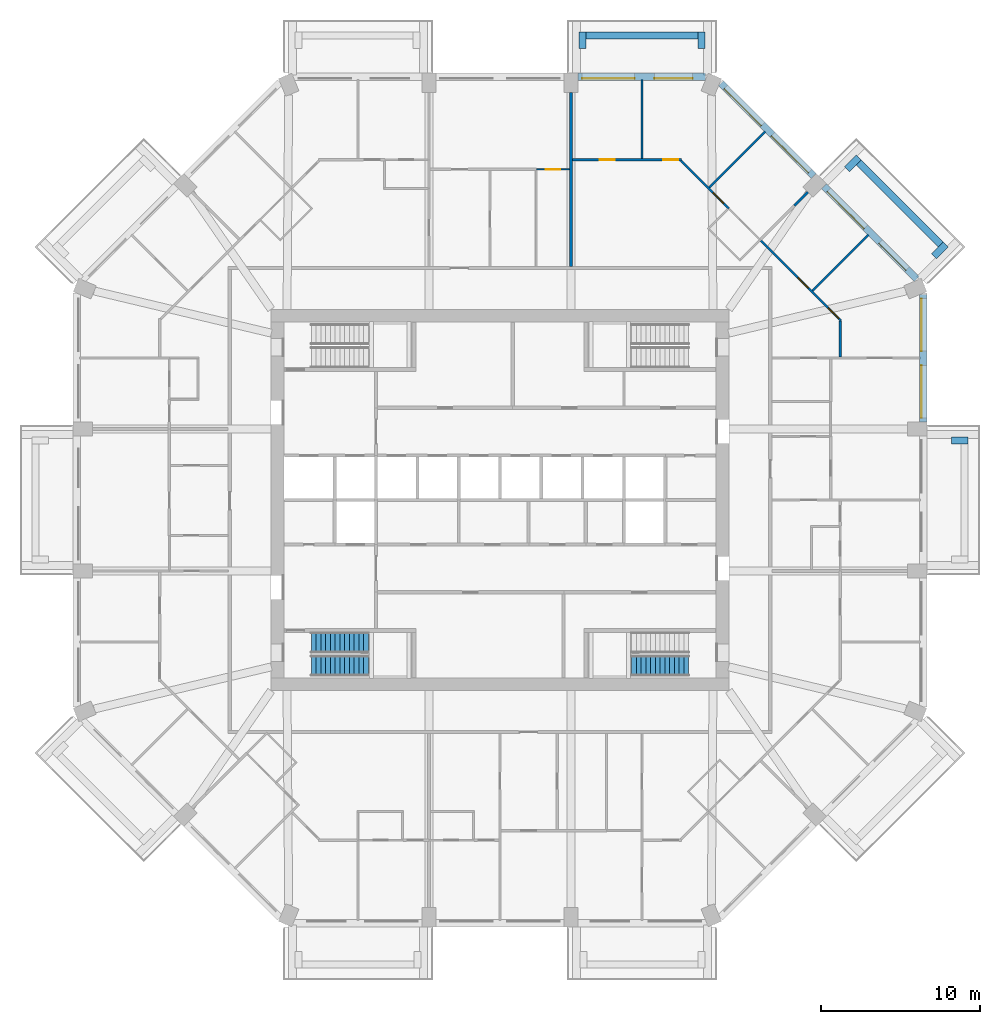
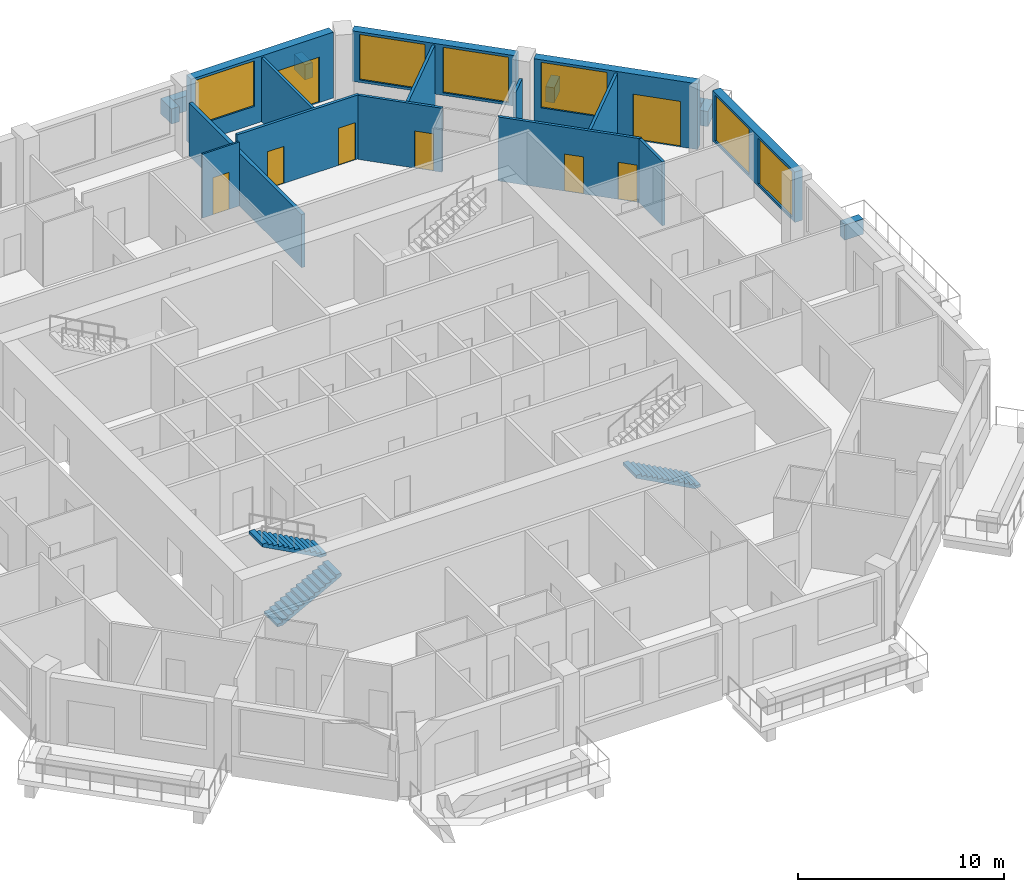
# One storey, part 10 of 13: 21 walls, 8 doors, 6 windows, 3 stair flights, 14 openings, 2 elements without a shape of their own.
"""IFC4 building model written with IfcOpenShell, lengths in metres."""

from ifc_helpers import new_model, si_unit, direction, frame, frame_2d, origin, place, context, subcontext, project, spatial, polyline, rectangle, outline, extrude, material, layer, layer_set, type_object, element, fill, aggregate, save


model = new_model("IFC4")

# Units and contexts
model_context = context("Model", 3, precision=1e-05, world=origin(), true_north=direction((0.0, 1.0)))
body_context = subcontext(model_context, "Body", "Model", "MODEL_VIEW")
ifc_project = project(units=[si_unit("LENGTHUNIT", "METRE"), si_unit("AREAUNIT", "SQUARE_METRE"), si_unit("VOLUMEUNIT", "CUBIC_METRE"), si_unit("PLANEANGLEUNIT", "RADIAN"), si_unit("MASSUNIT", "GRAM", prefix="KILO")], contexts=[model_context])

# Site, building, storey
site_placement = place(None, origin())
site = spatial("IfcSite", under=ifc_project, at=site_placement, CompositionType="ELEMENT")
building_placement = place(site_placement, origin())
building = spatial("IfcBuilding", under=site, at=building_placement, Name="Msitu Wima Residences", CompositionType="ELEMENT")
storey_placement = place(building_placement, frame((0.0, 0.0, 144.300048828125)))
storey = spatial("IfcBuildingStorey", under=building, at=storey_placement, Name="L33", CompositionType="ELEMENT", Elevation=144.300048828125)

# Walls
ifc_material_1 = material(Name="Facing brick")
ifc_layer_1 = layer(ifc_material_1, 0.06494140625, Name="Facing brick")
ifc_material_2 = material(Name="Concrete C40/50", Category="concrete")
ifc_layer_2 = layer(ifc_material_2, 0.156005859375, Name="Concrete C40/50")
ifc_material_3 = material(Name="Waterproofing membrane")
ifc_layer_3 = layer(ifc_material_3, 0.00390625, Name="Waterproofing membrane")
ifc_material_4 = material(Name="Planting soil and planting")
ifc_layer_4 = layer(ifc_material_4, 0.22509765625, Name="Planting soil and planting")
ifc_layer_set_1 = layer_set([ifc_layer_1, ifc_layer_2, ifc_layer_3, ifc_layer_4], Name="Concrete C40/50")
wall_type_1 = type_object("IfcWallType", Name="Balcony planter PLANTER PL450", PredefinedType="USERDEFINED", material=ifc_layer_set_1)
wall_1_placement = place(storey_placement, frame((28.39990234375, 3.74365234375, 0.0), z_axis=(0.0, 0.0, 1.0), x_axis=(1.0, 0.0, 0.0)))
element("IfcWall", 1, at=wall_1_placement, inside=storey, type_object=wall_type_1, Name="Balcony planter E1 L33", ObjectType="PLANTER", PredefinedType="USERDEFINED", context=body_context, shape_type="SweptSolid", body=[
    extrude(rectangle(XDim=1.050048828125, YDim=0.449951171875, at=frame_2d((0.52490234375, 0.0))), origin(), (0.0, 0.0, 1.0), 0.89990234375),
])
wall_2_placement = place(storey_placement, frame((27.725830078125, 16.0751953125, 0.0), z_axis=(0.0, 0.0, 1.0), x_axis=(-0.707106781187, 0.707106781187, 0.0)))
element("IfcWall", 2, at=wall_2_placement, inside=storey, type_object=wall_type_1, Name="Balcony planter NE0 L33", ObjectType="PLANTER", PredefinedType="USERDEFINED", context=body_context, shape_type="SweptSolid", body=[
    extrude(rectangle(XDim=7.288330078125, YDim=0.449951171875, at=frame_2d((3.64404296875, 0.0))), origin(), (0.0, 0.0, 1.0), 0.89990234375),
])
for number, where, z_axis, x_axis, name in (
    (3, (27.301513671875, 15.332763671875, 0.0), (0.0, 0.0, 1.0), (0.707106781187, 0.707106781187, 0.0), "Balcony planter NE0 L33"),
    (4, (21.829833984375, 20.804443359375, 0.0), (0.0, 0.0, 1.0), (0.707106781187, 0.707106781187, 0.0), "Balcony planter NE0 L33"),
):
    element("IfcWall", number, at=place(storey_placement, frame(where, z_axis=z_axis, x_axis=x_axis)), inside=storey, type_object=wall_type_1, Name=name, ObjectType="PLANTER", PredefinedType="USERDEFINED", context=body_context, shape_type="SweptSolid", body=[
        extrude(rectangle(XDim=1.050048828125, YDim=0.449951171875, at=frame_2d((0.52490234375, 0.0))), origin(), (0.0, 0.0, 1.0), 0.89990234375),
    ])
wall_3_placement = place(storey_placement, frame((12.455810546875, 29.22509765625, 0.0), z_axis=(0.0, 0.0, 1.0), x_axis=(-1.0, 0.0, 0.0)))
element("IfcWall", 5, at=wall_3_placement, inside=storey, type_object=wall_type_1, Name="Balcony planter N0 L33", ObjectType="PLANTER", PredefinedType="USERDEFINED", context=body_context, shape_type="SweptSolid", body=[
    extrude(rectangle(XDim=7.037109375, YDim=0.449951171875, at=frame_2d((3.5185546875, 0.0))), origin(), (0.0, 0.0, 1.0), 0.89990234375),
])
for number, where, z_axis, x_axis, name in (
    (6, (12.680908203125, 28.39990234375, 0.0), (0.0, 0.0, 1.0), (0.0, 1.0, 0.0), "Balcony planter N0 L33"),
    (7, (5.193603515625, 28.39990234375, 0.0), (0.0, 0.0, 1.0), (0.0, 1.0, 0.0), "Balcony planter N0 L33"),
):
    element("IfcWall", number, at=place(storey_placement, frame(where, z_axis=z_axis, x_axis=x_axis)), inside=storey, type_object=wall_type_1, Name=name, ObjectType="PLANTER", PredefinedType="USERDEFINED", context=body_context, shape_type="SweptSolid", body=[
        extrude(rectangle(XDim=1.050048828125, YDim=0.449951171875, at=frame_2d((0.52490234375, 0.0))), origin(), (0.0, 0.0, 1.0), 0.89990234375),
    ])

# Wall, openings, windows
ifc_material_5 = material(Name="Brick (red buff mix)", Category="masonry")
ifc_layer_5 = layer(ifc_material_5, 0.449951171875)
ifc_layer_set_2 = layer_set([ifc_layer_5], Name="Brick (red buff mix)")
wall_type_2 = type_object("IfcWallType", Name="Brick infill wall BW450", PredefinedType="SOLIDWALL", material=ifc_layer_set_2)
wall_4_placement = place(storey_placement, frame((26.625, 4.918701171875, 0.89990234375), z_axis=(0.0, 0.0, 1.0), x_axis=(0.0, 1.0, 0.0)))
wall_4 = element("IfcWall", 8, at=wall_4_placement, inside=storey, type_object=wall_type_2, Name="Brick infill wall L33 E2", PredefinedType="SOLIDWALL", context=body_context, shape_type="SweptSolid", body=[
    extrude(rectangle(XDim=8.0, YDim=0.449951171875, at=frame_2d((4.0, 0.0))), origin(), (0.0, 0.0, 1.0), 3.0),
])
opening_1_placement = place(wall_4_placement, frame((0.25, 0.0, 0.14990234375)))
opening_1 = element("IfcOpeningElement", 9, at=opening_1_placement, cuts=wall_4, Name="Opening W33.004", PredefinedType="OPENING", context=body_context, shape_type="SweptSolid", body=[
    extrude(rectangle(XDim=3.300048828125, YDim=2.699951171875, at=frame_2d((1.64990234375, 1.35009765625))), frame((0.0, 0.23486328125, 0.0), z_axis=(0.0, -1.0, 0.0), x_axis=(1.0, 0.0, 0.0)), (0.0, 0.0, 1.0), 0.469970703125),
])
opening_2_placement = place(wall_4_placement, frame((4.4501953125, 0.0, 0.14990234375)))
opening_2 = element("IfcOpeningElement", 10, at=opening_2_placement, cuts=wall_4, Name="Opening W33.005", PredefinedType="OPENING", context=body_context, shape_type="SweptSolid", body=[
    extrude(rectangle(XDim=3.300048828125, YDim=2.699951171875, at=frame_2d((1.64990234375, 1.35009765625))), frame((0.0, 0.23486328125, 0.0), z_axis=(0.0, -1.0, 0.0), x_axis=(1.0, 0.0, 0.0)), (0.0, 0.0, 1.0), 0.469970703125),
])
ifc_material_6 = material(Name="Anodised aluminium, bronze finish, clear low-emissivity double glazing", Category="aluminium")
window_type = type_object("IfcWindowType", Name="Window W3300x2700", PartitioningType="DOUBLE_PANEL_VERTICAL", PredefinedType="WINDOW", material=ifc_material_6)
window_1_placement = place(opening_1_placement, origin())
window_1 = element("IfcWindow", 11, at=window_1_placement, inside=storey, type_object=window_type, Name="Window L33 E2.1", OverallHeight=2.699951171875, OverallWidth=3.300048828125, PartitioningType="SINGLE_PANEL", PredefinedType="WINDOW", context=body_context, shape_type="SweptSolid", body=[
    extrude(rectangle(XDim=3.300048828125, YDim=2.699951171875, at=frame_2d((1.64990234375, 1.35009765625))), frame((0.0, 0.135009765625, 0.0), z_axis=(0.0, -1.0, 0.0), x_axis=(1.0, 0.0, 0.0)), (0.0, 0.0, 1.0), 0.06005859375),
])
fill(opening_1, window_1)
window_2_placement = place(opening_2_placement, origin())
window_2 = element("IfcWindow", 12, at=window_2_placement, inside=storey, type_object=window_type, Name="Window L33 E2.2", OverallHeight=2.699951171875, OverallWidth=3.300048828125, PartitioningType="SINGLE_PANEL", PredefinedType="WINDOW", context=body_context, shape_type="SweptSolid", body=[
    extrude(rectangle(XDim=3.300048828125, YDim=2.699951171875, at=frame_2d((1.64990234375, 1.35009765625))), frame((0.0, 0.135009765625, 0.0), z_axis=(0.0, -1.0, 0.0), x_axis=(1.0, 0.0, 0.0)), (0.0, 0.0, 1.0), 0.06005859375),
])
fill(opening_2, window_2)

# Wall, openings, door, window
wall_5_placement = place(storey_placement, frame((26.214599609375, 13.909423828125, 0.0), z_axis=(0.0, 0.0, 1.0), x_axis=(-0.707106781187, 0.707106781187, 0.0)))
wall_5 = element("IfcWall", 13, at=wall_5_placement, inside=storey, type_object=wall_type_2, Name="Brick infill wall L33 NE0", PredefinedType="SOLIDWALL", context=body_context, shape_type="SweptSolid", body=[
    extrude(rectangle(XDim=8.251220703125, YDim=0.449951171875, at=frame_2d((4.12548828125, 0.0))), origin(), (0.0, 0.0, 1.0), 3.89990234375),
])
opening_3_placement = place(wall_5_placement, frame((0.86279296875, 0.0, 0.0)))
opening_3 = element("IfcOpeningElement", 14, at=opening_3_placement, cuts=wall_5, Name="Opening D33.004", PredefinedType="OPENING", context=body_context, shape_type="SweptSolid", body=[
    extrude(rectangle(XDim=2.39990234375, YDim=2.699951171875, at=frame_2d((1.199951171875, 1.35009765625))), frame((0.0, 0.23486328125, 0.0), z_axis=(0.0, -1.0, 0.0), x_axis=(1.0, 0.0, 0.0)), (0.0, 0.0, 1.0), 0.469970703125),
])
opening_4_placement = place(wall_5_placement, frame((4.57568359375, 0.0, 1.050048828125)))
opening_4 = element("IfcOpeningElement", 15, at=opening_4_placement, cuts=wall_5, Name="Opening W33.010", PredefinedType="OPENING", context=body_context, shape_type="SweptSolid", body=[
    extrude(rectangle(XDim=3.300048828125, YDim=2.699951171875, at=frame_2d((1.64990234375, 1.35009765625))), frame((0.0, 0.23486328125, 0.0), z_axis=(0.0, -1.0, 0.0), x_axis=(1.0, 0.0, 0.0)), (0.0, 0.0, 1.0), 0.469970703125),
])
door_type_1 = type_object("IfcDoorType", Name="Balcony door D2400x2700", OperationType="SLIDING_TO_LEFT", PredefinedType="DOOR", material=ifc_material_6)
door_1_placement = place(opening_3_placement, origin())
door_1 = element("IfcDoor", 16, at=door_1_placement, inside=storey, type_object=door_type_1, Name="Balcony door L33 NE0", OperationType="SINGLE_SWING_LEFT", OverallHeight=2.699951171875, OverallWidth=2.39990234375, PredefinedType="DOOR", context=body_context, shape_type="SweptSolid", body=[
    extrude(rectangle(XDim=2.39990234375, YDim=2.699951171875, at=frame_2d((1.199951171875, 1.35009765625))), frame((0.0, 0.1298828125, 0.0), z_axis=(0.0, -1.0, 0.0), x_axis=(1.0, 0.0, 0.0)), (0.0, 0.0, 1.0), 0.050048828125),
])
fill(opening_3, door_1)
window_3_placement = place(opening_4_placement, origin())
window_3 = element("IfcWindow", 17, at=window_3_placement, inside=storey, type_object=window_type, Name="Window L33 NE0.2", OverallHeight=2.699951171875, OverallWidth=3.300048828125, PartitioningType="SINGLE_PANEL", PredefinedType="WINDOW", context=body_context, shape_type="SweptSolid", body=[
    extrude(rectangle(XDim=3.300048828125, YDim=2.699951171875, at=frame_2d((1.64990234375, 1.35009765625))), frame((0.0, 0.135009765625, 0.0), z_axis=(0.0, -1.0, 0.0), x_axis=(1.0, 0.0, 0.0)), (0.0, 0.0, 1.0), 0.06005859375),
])
fill(opening_4, window_3)

# Wall, openings, windows
wall_6_placement = place(storey_placement, frame((19.743896484375, 20.380126953125, 0.89990234375), z_axis=(0.0, 0.0, 1.0), x_axis=(-0.707106781187, 0.707106781187, 0.0)))
wall_6 = element("IfcWall", 18, at=wall_6_placement, inside=storey, type_object=wall_type_2, Name="Brick infill wall L33 NE1", PredefinedType="SOLIDWALL", context=body_context, shape_type="SweptSolid", body=[
    extrude(rectangle(XDim=8.251220703125, YDim=0.449951171875, at=frame_2d((4.12548828125, 0.0))), origin(), (0.0, 0.0, 1.0), 3.0),
])
opening_5_placement = place(wall_6_placement, frame((0.37548828125, 0.0, 0.14990234375)))
opening_5 = element("IfcOpeningElement", 19, at=opening_5_placement, cuts=wall_6, Name="Opening W33.011", PredefinedType="OPENING", context=body_context, shape_type="SweptSolid", body=[
    extrude(rectangle(XDim=3.300048828125, YDim=2.699951171875, at=frame_2d((1.64990234375, 1.35009765625))), frame((0.0, 0.23486328125, 0.0), z_axis=(0.0, -1.0, 0.0), x_axis=(1.0, 0.0, 0.0)), (0.0, 0.0, 1.0), 0.469970703125),
])
opening_6_placement = place(wall_6_placement, frame((4.57568359375, 0.0, 0.14990234375)))
opening_6 = element("IfcOpeningElement", 20, at=opening_6_placement, cuts=wall_6, Name="Opening W33.012", PredefinedType="OPENING", context=body_context, shape_type="SweptSolid", body=[
    extrude(rectangle(XDim=3.300048828125, YDim=2.699951171875, at=frame_2d((1.64990234375, 1.35009765625))), frame((0.0, 0.23486328125, 0.0), z_axis=(0.0, -1.0, 0.0), x_axis=(1.0, 0.0, 0.0)), (0.0, 0.0, 1.0), 0.469970703125),
])
window_4_placement = place(opening_5_placement, origin())
window_4 = element("IfcWindow", 21, at=window_4_placement, inside=storey, type_object=window_type, Name="Window L33 NE1.1", OverallHeight=2.699951171875, OverallWidth=3.300048828125, PartitioningType="SINGLE_PANEL", PredefinedType="WINDOW", context=body_context, shape_type="SweptSolid", body=[
    extrude(rectangle(XDim=3.300048828125, YDim=2.699951171875, at=frame_2d((1.64990234375, 1.35009765625))), frame((0.0, 0.135009765625, 0.0), z_axis=(0.0, -1.0, 0.0), x_axis=(1.0, 0.0, 0.0)), (0.0, 0.0, 1.0), 0.06005859375),
])
fill(opening_5, window_4)
window_5_placement = place(opening_6_placement, origin())
window_5 = element("IfcWindow", 22, at=window_5_placement, inside=storey, type_object=window_type, Name="Window L33 NE1.2", OverallHeight=2.699951171875, OverallWidth=3.300048828125, PartitioningType="SINGLE_PANEL", PredefinedType="WINDOW", context=body_context, shape_type="SweptSolid", body=[
    extrude(rectangle(XDim=3.300048828125, YDim=2.699951171875, at=frame_2d((1.64990234375, 1.35009765625))), frame((0.0, 0.135009765625, 0.0), z_axis=(0.0, -1.0, 0.0), x_axis=(1.0, 0.0, 0.0)), (0.0, 0.0, 1.0), 0.06005859375),
])
fill(opening_6, window_5)

# Wall, openings, door, window
wall_7_placement = place(storey_placement, frame((12.918701171875, 26.625, 0.0), z_axis=(0.0, 0.0, 1.0), x_axis=(-1.0, 0.0, 0.0)))
wall_7 = element("IfcWall", 23, at=wall_7_placement, inside=storey, type_object=wall_type_2, Name="Brick infill wall L33 N0", PredefinedType="SOLIDWALL", context=body_context, shape_type="SweptSolid", body=[
    extrude(rectangle(XDim=8.0, YDim=0.449951171875, at=frame_2d((4.0, 0.0))), origin(), (0.0, 0.0, 1.0), 3.89990234375),
])
opening_7_placement = place(wall_7_placement, frame((0.800048828125, 0.0, 0.0)))
opening_7 = element("IfcOpeningElement", 24, at=opening_7_placement, cuts=wall_7, Name="Opening D33.002", PredefinedType="OPENING", context=body_context, shape_type="SweptSolid", body=[
    extrude(rectangle(XDim=2.39990234375, YDim=2.699951171875, at=frame_2d((1.199951171875, 1.35009765625))), frame((0.0, 0.23486328125, 0.0), z_axis=(0.0, -1.0, 0.0), x_axis=(1.0, 0.0, 0.0)), (0.0, 0.0, 1.0), 0.469970703125),
])
opening_8_placement = place(wall_7_placement, frame((4.4501953125, 0.0, 1.050048828125)))
opening_8 = element("IfcOpeningElement", 25, at=opening_8_placement, cuts=wall_7, Name="Opening W33.006", PredefinedType="OPENING", context=body_context, shape_type="SweptSolid", body=[
    extrude(rectangle(XDim=3.300048828125, YDim=2.699951171875, at=frame_2d((1.64990234375, 1.35009765625))), frame((0.0, 0.23486328125, 0.0), z_axis=(0.0, -1.0, 0.0), x_axis=(1.0, 0.0, 0.0)), (0.0, 0.0, 1.0), 0.469970703125),
])
door_2_placement = place(opening_7_placement, origin())
door_2 = element("IfcDoor", 26, at=door_2_placement, inside=storey, type_object=door_type_1, Name="Balcony door L33 N0", OperationType="SINGLE_SWING_LEFT", OverallHeight=2.699951171875, OverallWidth=2.39990234375, PredefinedType="DOOR", context=body_context, shape_type="SweptSolid", body=[
    extrude(rectangle(XDim=2.39990234375, YDim=2.699951171875, at=frame_2d((1.199951171875, 1.35009765625))), frame((0.0, 0.1298828125, 0.0), z_axis=(0.0, -1.0, 0.0), x_axis=(1.0, 0.0, 0.0)), (0.0, 0.0, 1.0), 0.050048828125),
])
fill(opening_7, door_2)
window_6_placement = place(opening_8_placement, origin())
window_6 = element("IfcWindow", 27, at=window_6_placement, inside=storey, type_object=window_type, Name="Window L33 N0.2", OverallHeight=2.699951171875, OverallWidth=3.300048828125, PartitioningType="SINGLE_PANEL", PredefinedType="WINDOW", context=body_context, shape_type="SweptSolid", body=[
    extrude(rectangle(XDim=3.300048828125, YDim=2.699951171875, at=frame_2d((1.64990234375, 1.35009765625))), frame((0.0, 0.135009765625, 0.0), z_axis=(0.0, -1.0, 0.0), x_axis=(1.0, 0.0, 0.0)), (0.0, 0.0, 1.0), 0.06005859375),
])
fill(opening_8, window_6)

# Wall, openings, doors
ifc_material_7 = material(Name="Plaster")
ifc_layer_6 = layer(ifc_material_7, 0.011962890625, Name="Plaster")
ifc_material_8 = material(Name="Concrete blockwork", Category="masonry")
ifc_layer_7 = layer(ifc_material_8, 0.1259765625, Name="Concrete blockwork")
ifc_layer_8 = layer(ifc_material_7, 0.011962890625, Name="Plaster")
ifc_layer_set_3 = layer_set([ifc_layer_6, ifc_layer_7, ifc_layer_8], Name="Concrete blockwork")
wall_type_3 = type_object("IfcWallType", Name="Partition PW150", PredefinedType="PARTITIONING", material=ifc_layer_set_3)
wall_8_placement = place(storey_placement, frame((4.568603515625, 21.39990234375, 0.0), z_axis=(0.0, 0.0, 1.0), x_axis=(1.0, 0.0, 0.0)))
wall_8 = element("IfcWall", 28, at=wall_8_placement, inside=storey, type_object=wall_type_3, Name="Partition", PredefinedType="PARTITIONING", context=body_context, shape_type="SweptSolid", body=[
    extrude(rectangle(XDim=6.84130859375, YDim=0.14990234375, at=frame_2d((3.420654296875, 0.0))), origin(), (0.0, 0.0, 1.0), 3.7978515625),
])
opening_9_placement = place(wall_8_placement, frame((1.699951171875, 0.0, 0.0)))
opening_9 = element("IfcOpeningElement", 29, at=opening_9_placement, cuts=wall_8, Name="Opening D33.088", PredefinedType="OPENING", context=body_context, shape_type="SweptSolid", body=[
    extrude(rectangle(XDim=0.949951171875, YDim=2.199951171875, at=frame_2d((0.47509765625, 1.10009765625))), frame((0.0, 0.0849609375, 0.0), z_axis=(0.0, -1.0, 0.0), x_axis=(1.0, 0.0, 0.0)), (0.0, 0.0, 1.0), 0.169921875),
])
opening_10_placement = place(wall_8_placement, frame((5.699951171875, 0.0, 0.0)))
opening_10 = element("IfcOpeningElement", 30, at=opening_10_placement, cuts=wall_8, Name="Opening D33.043", PredefinedType="OPENING", context=body_context, shape_type="SweptSolid", body=[
    extrude(rectangle(XDim=0.949951171875, YDim=2.199951171875, at=frame_2d((0.47509765625, 1.10009765625))), frame((0.0, 0.0849609375, 0.0), z_axis=(0.0, -1.0, 0.0), x_axis=(1.0, 0.0, 0.0)), (0.0, 0.0, 1.0), 0.169921875),
])
ifc_material_9 = material(Name="Timber flush door", Category="wood")
door_type_2 = type_object("IfcDoorType", Name="Room door D12 950x2200", OperationType="SINGLE_SWING_LEFT", PredefinedType="DOOR", material=ifc_material_9)
door_3_placement = place(opening_9_placement, origin())
door_3 = element("IfcDoor", 31, at=door_3_placement, inside=storey, type_object=door_type_2, Name="Room door", OperationType="SINGLE_SWING_RIGHT", OverallHeight=2.199951171875, OverallWidth=0.949951171875, PredefinedType="DOOR", context=body_context, shape_type="SweptSolid", body=[
    extrude(rectangle(XDim=0.949951171875, YDim=2.199951171875, at=frame_2d((0.47509765625, 1.10009765625))), frame((0.0, 0.02490234375, 0.0), z_axis=(0.0, -1.0, 0.0), x_axis=(1.0, 0.0, 0.0)), (0.0, 0.0, 1.0), 0.050048828125),
])
fill(opening_9, door_3)
door_4_placement = place(opening_10_placement, origin())
door_4 = element("IfcDoor", 32, at=door_4_placement, inside=storey, type_object=door_type_2, Name="Room door", OperationType="SINGLE_SWING_LEFT", OverallHeight=2.199951171875, OverallWidth=0.949951171875, PredefinedType="DOOR", context=body_context, shape_type="SweptSolid", body=[
    extrude(rectangle(XDim=0.949951171875, YDim=2.199951171875, at=frame_2d((0.47509765625, 1.10009765625))), frame((0.0, 0.02490234375, 0.0), z_axis=(0.0, -1.0, 0.0), x_axis=(1.0, 0.0, 0.0)), (0.0, 0.0, 1.0), 0.050048828125),
])
fill(opening_10, door_4)

# Wall
wall_9_placement = place(storey_placement, frame((8.937255859375, 21.47509765625, 0.0), z_axis=(0.0, 0.0, 1.0), x_axis=(0.0, 1.0, 0.0)))
element("IfcWall", 33, at=wall_9_placement, inside=storey, type_object=wall_type_3, Name="Partition", PredefinedType="PARTITIONING", context=body_context, shape_type="SweptSolid", body=[
    extrude(rectangle(XDim=4.97998046875, YDim=0.14990234375, at=frame_2d((2.489990234375, 0.0))), origin(), (0.0, 0.0, 1.0), 3.7978515625),
])

# Wall, opening, door
wall_10_placement = place(storey_placement, frame((11.387939453125, 21.346923828125, 0.0), z_axis=(0.0, 0.0, 1.0), x_axis=(0.707106781187, -0.707106781187, 0.0)))
wall_10 = element("IfcWall", 34, at=wall_10_placement, inside=storey, type_object=wall_type_3, Name="Partition", PredefinedType="PARTITIONING", context=body_context, shape_type="SweptSolid", body=[
    extrude(rectangle(XDim=4.241943359375, YDim=0.14990234375, at=frame_2d((2.12109375, 0.0))), origin(), (0.0, 0.0, 1.0), 3.7978515625),
])
opening_11_placement = place(wall_10_placement, frame((2.85009765625, 0.0, 0.0)))
opening_11 = element("IfcOpeningElement", 35, at=opening_11_placement, cuts=wall_10, Name="Opening D33.089", PredefinedType="OPENING", context=body_context, shape_type="SweptSolid", body=[
    extrude(rectangle(XDim=0.949951171875, YDim=2.199951171875, at=frame_2d((0.47509765625, 1.10009765625))), frame((0.0, 0.0849609375, 0.0), z_axis=(0.0, -1.0, 0.0), x_axis=(1.0, 0.0, 0.0)), (0.0, 0.0, 1.0), 0.169921875),
])
door_5_placement = place(opening_11_placement, origin())
door_5 = element("IfcDoor", 36, at=door_5_placement, inside=storey, type_object=door_type_2, Name="Room door", OperationType="SINGLE_SWING_LEFT", OverallHeight=2.199951171875, OverallWidth=0.949951171875, PredefinedType="DOOR", context=body_context, shape_type="SweptSolid", body=[
    extrude(rectangle(XDim=0.949951171875, YDim=2.199951171875, at=frame_2d((0.47509765625, 1.10009765625))), frame((0.0, 0.02490234375, 0.0), z_axis=(0.0, -1.0, 0.0), x_axis=(1.0, 0.0, 0.0)), (0.0, 0.0, 1.0), 0.050048828125),
])
fill(opening_11, door_5)

# Walls
wall_11_placement = place(storey_placement, frame((13.171875, 19.6689453125, 0.0), z_axis=(0.0, 0.0, 1.0), x_axis=(0.707106781187, 0.707106781187, 0.0)))
element("IfcWall", 37, at=wall_11_placement, inside=storey, type_object=wall_type_3, Name="Partition", PredefinedType="PARTITIONING", context=body_context, shape_type="SweptSolid", body=[
    extrude(rectangle(XDim=4.980224609375, YDim=0.14990234375, at=frame_2d((2.490234375, 0.0))), origin(), (0.0, 0.0, 1.0), 3.7978515625),
])
wall_12_placement = place(storey_placement, frame((18.517578125, 18.517578125, 0.0), z_axis=(0.0, 0.0, 1.0), x_axis=(0.707106781187, 0.707106781187, 0.0)))
element("IfcWall", 38, at=wall_12_placement, inside=storey, type_object=wall_type_3, Name="Partition", PredefinedType="PARTITIONING", context=body_context, shape_type="SweptSolid", body=[
    extrude(rectangle(XDim=1.209228515625, YDim=0.14990234375, at=frame_2d((0.6044921875, 0.0))), origin(), (0.0, 0.0, 1.0), 3.14990234375),
])

# Wall, openings, doors
wall_13_placement = place(storey_placement, frame((16.367431640625, 16.367431640625, 0.0), z_axis=(0.0, 0.0, 1.0), x_axis=(0.707106781187, -0.707106781187, 0.0)))
wall_13 = element("IfcWall", 39, at=wall_13_placement, inside=storey, type_object=wall_type_3, Name="Partition", PredefinedType="PARTITIONING", context=body_context, shape_type="SweptSolid", body=[
    extrude(rectangle(XDim=7.192138671875, YDim=0.14990234375, at=frame_2d((3.59619140625, 0.0))), origin(), (0.0, 0.0, 1.0), 3.7978515625),
])
opening_12_placement = place(wall_13_placement, frame((6.050048828125, 0.0, 0.0)))
opening_12 = element("IfcOpeningElement", 40, at=opening_12_placement, cuts=wall_13, Name="Opening D33.087", PredefinedType="OPENING", context=body_context, shape_type="SweptSolid", body=[
    extrude(rectangle(XDim=0.949951171875, YDim=2.199951171875, at=frame_2d((0.47509765625, 1.10009765625))), frame((0.0, 0.0849609375, 0.0), z_axis=(0.0, -1.0, 0.0), x_axis=(1.0, 0.0, 0.0)), (0.0, 0.0, 1.0), 0.169921875),
])
opening_13_placement = place(wall_13_placement, frame((3.35009765625, 0.0, 0.0)))
opening_13 = element("IfcOpeningElement", 41, at=opening_13_placement, cuts=wall_13, Name="Opening D33.041", PredefinedType="OPENING", context=body_context, shape_type="SweptSolid", body=[
    extrude(rectangle(XDim=0.949951171875, YDim=2.199951171875, at=frame_2d((0.47509765625, 1.10009765625))), frame((0.0, 0.0849609375, 0.0), z_axis=(0.0, -1.0, 0.0), x_axis=(1.0, 0.0, 0.0)), (0.0, 0.0, 1.0), 0.169921875),
])
door_6_placement = place(opening_12_placement, origin())
door_6 = element("IfcDoor", 42, at=door_6_placement, inside=storey, type_object=door_type_2, Name="Room door", OperationType="SINGLE_SWING_LEFT", OverallHeight=2.199951171875, OverallWidth=0.949951171875, PredefinedType="DOOR", context=body_context, shape_type="SweptSolid", body=[
    extrude(rectangle(XDim=0.949951171875, YDim=2.199951171875, at=frame_2d((0.47509765625, 1.10009765625))), frame((0.0, 0.02490234375, 0.0), z_axis=(0.0, -1.0, 0.0), x_axis=(1.0, 0.0, 0.0)), (0.0, 0.0, 1.0), 0.050048828125),
])
fill(opening_12, door_6)
door_7_placement = place(opening_13_placement, origin())
door_7 = element("IfcDoor", 43, at=door_7_placement, inside=storey, type_object=door_type_2, Name="Room door", OperationType="SINGLE_SWING_RIGHT", OverallHeight=2.199951171875, OverallWidth=0.949951171875, PredefinedType="DOOR", context=body_context, shape_type="SweptSolid", body=[
    extrude(rectangle(XDim=0.949951171875, YDim=2.199951171875, at=frame_2d((0.47509765625, 1.10009765625))), frame((0.0, 0.02490234375, 0.0), z_axis=(0.0, -1.0, 0.0), x_axis=(1.0, 0.0, 0.0)), (0.0, 0.0, 1.0), 0.050048828125),
])
fill(opening_13, door_7)

# Walls
wall_14_placement = place(storey_placement, frame((19.6689453125, 13.171875, 0.0), z_axis=(0.0, 0.0, 1.0), x_axis=(0.707106781187, 0.707106781187, 0.0)))
element("IfcWall", 44, at=wall_14_placement, inside=storey, type_object=wall_type_3, Name="Partition", PredefinedType="PARTITIONING", context=body_context, shape_type="SweptSolid", body=[
    extrude(rectangle(XDim=4.980224609375, YDim=0.14990234375, at=frame_2d((2.490234375, 0.0))), origin(), (0.0, 0.0, 1.0), 3.7978515625),
])
wall_15_placement = place(storey_placement, frame((21.39990234375, 9.01220703125, 0.0), z_axis=(0.0, 0.0, 1.0), x_axis=(0.0, 1.0, 0.0)))
element("IfcWall", 45, at=wall_15_placement, inside=storey, type_object=wall_type_3, Name="Partition", PredefinedType="PARTITIONING", context=body_context, shape_type="SweptSolid", body=[
    extrude(rectangle(XDim=2.24755859375, YDim=0.14990234375, at=frame_2d((1.123779296875, 0.0))), origin(), (0.0, 0.0, 1.0), 3.7978515625),
])
ifc_layer_9 = layer(ifc_material_7, 0.011962890625, Name="Plaster")
ifc_material_10 = material(Name="Dense concrete blockwork", Category="masonry")
ifc_layer_10 = layer(ifc_material_10, 0.176025390625, Name="Dense concrete blockwork")
ifc_layer_11 = layer(ifc_material_7, 0.011962890625, Name="Plaster")
ifc_layer_set_4 = layer_set([ifc_layer_9, ifc_layer_10, ifc_layer_11], Name="Dense concrete blockwork")
wall_type_4 = type_object("IfcWallType", Name="Party wall PW200", PredefinedType="PARTITIONING", material=ifc_layer_set_4)
wall_16_placement = place(storey_placement, frame((4.46875, 14.699951171875, 0.0), z_axis=(0.0, 0.0, 1.0), x_axis=(0.0, 1.0, 0.0)))
element("IfcWall", 46, at=wall_16_placement, inside=storey, type_object=wall_type_4, Name="Party wall", PredefinedType="PARTITIONING", context=body_context, shape_type="SweptSolid", body=[
    extrude(rectangle(XDim=10.949951171875, YDim=0.199951171875, at=frame_2d((5.47509765625, 0.0))), origin(), (0.0, 0.0, 1.0), 3.14990234375),
])

# Wall, opening, door
ifc_material_11 = material(Name="Ceramic tiles")
ifc_layer_12 = layer(ifc_material_11, 0.008056640625, Name="Ceramic tiles")
ifc_material_12 = material(Name="Moisture-resistant board")
ifc_layer_13 = layer(ifc_material_12, 0.012451171875, Name="Moisture-resistant board")
ifc_material_13 = material(Name="Light-gauge stud framing with mineral wool")
ifc_layer_14 = layer(ifc_material_13, 0.06689453125, Name="Light-gauge stud framing with mineral wool")
ifc_layer_15 = layer(ifc_material_12, 0.012451171875, Name="Moisture-resistant board")
ifc_layer_set_5 = layer_set([ifc_layer_12, ifc_layer_13, ifc_layer_14, ifc_layer_15], Name="Light-gauge stud framing with mineral wool")
wall_type_5 = type_object("IfcWallType", Name="Wet wall PW100", PredefinedType="PARTITIONING", material=ifc_layer_set_5)
wall_17_placement = place(storey_placement, frame((2.28857421875, 20.800048828125, 0.0), z_axis=(0.0, 0.0, 1.0), x_axis=(1.0, 0.0, 0.0)))
wall_17 = element("IfcWall", 47, at=wall_17_placement, inside=storey, type_object=wall_type_5, Name="Wet wall", PredefinedType="PARTITIONING", context=body_context, shape_type="SweptSolid", body=[
    extrude(rectangle(XDim=2.080078125, YDim=0.10009765625, at=frame_2d((1.0400390625, 0.0))), origin(), (0.0, 0.0, 1.0), 3.7978515625),
])
opening_14_placement = place(wall_17_placement, frame((0.60009765625, 0.0, 0.0)))
opening_14 = element("IfcOpeningElement", 48, at=opening_14_placement, cuts=wall_17, Name="Opening D33.057", PredefinedType="OPENING", context=body_context, shape_type="SweptSolid", body=[
    extrude(rectangle(XDim=0.89990234375, YDim=2.199951171875, at=frame_2d((0.449951171875, 1.10009765625))), frame((0.0, 0.06005859375, 0.0), z_axis=(0.0, -1.0, 0.0), x_axis=(1.0, 0.0, 0.0)), (0.0, 0.0, 1.0), 0.1201171875),
])
ifc_material_14 = material(Name="Timber flush door, moisture resistant", Category="wood")
door_type_3 = type_object("IfcDoorType", Name="Bathroom door D03 900x2200", OperationType="SINGLE_SWING_LEFT", PredefinedType="DOOR", material=ifc_material_14)
door_8_placement = place(opening_14_placement, origin())
door_8 = element("IfcDoor", 49, at=door_8_placement, inside=storey, type_object=door_type_3, Name="Bathroom door", OperationType="SINGLE_SWING_RIGHT", OverallHeight=2.199951171875, OverallWidth=0.89990234375, PredefinedType="DOOR", context=body_context, shape_type="SweptSolid", body=[
    extrude(rectangle(XDim=0.89990234375, YDim=2.199951171875, at=frame_2d((0.449951171875, 1.10009765625))), frame((0.0, 0.02490234375, 0.0), z_axis=(0.0, -1.0, 0.0), x_axis=(1.0, 0.0, 0.0)), (0.0, 0.0, 1.0), 0.050048828125),
])
fill(opening_14, door_8)

# Stair, stair flights
stair_type = type_object("IfcStairType", Name="Exit stair ES1615-130", PredefinedType="HALF_TURN_STAIR", material=ifc_material_2)
stair_1_placement = place(storey_placement, origin())
stair_1 = element("IfcStair", 50, at=stair_1_placement, inside=storey, type_object=stair_type, Name="Exit stair 2", PredefinedType="HALF_TURN_STAIR")
stair_flight_type = type_object("IfcStairFlightType", Name="Exit stair flight ES1615-130", PredefinedType="STRAIGHT", material=ifc_material_2)
stair_flight_1_placement = place(storey_placement, frame((-11.875, -10.425048828125, 0.0), z_axis=(0.0, 0.0, 1.0), x_axis=(1.0, 0.0, 0.0)))
stair_flight_1 = element("IfcStairFlight", 51, at=stair_flight_1_placement, type_object=stair_flight_type, Name="S2 flight 1", NumberOfRisers=13, NumberOfTreads=12, PredefinedType="STRAIGHT", RiserHeight=0.161538462, TreadLength=0.3, context=body_context, shape_type="SweptSolid", body=[
    extrude(outline(polyline([(0.0, 0.0), (0.0, 0.16162109375), (0.300048828125, 0.16162109375), (0.300048828125, 0.322998046875), (0.60009765625, 0.322998046875), (0.60009765625, 0.484619140625), (0.89990234375, 0.484619140625), (0.89990234375, 0.646240234375), (1.199951171875, 0.646240234375), (1.199951171875, 0.8076171875), (1.5, 0.8076171875), (1.5, 0.96923828125), (1.800048828125, 0.96923828125), (1.800048828125, 1.130859375), (2.10009765625, 1.130859375), (2.10009765625, 1.292236328125), (2.39990234375, 1.292236328125), (2.39990234375, 1.453857421875), (2.699951171875, 1.453857421875), (2.699951171875, 1.615478515625), (3.0, 1.615478515625), (3.0, 1.77685546875), (3.300048828125, 1.77685546875), (3.300048828125, 1.9384765625), (3.60009765625, 1.9384765625), (3.60009765625, 2.10009765625), (3.60009765625, 1.768310546875), (0.316162109375, 0.0), (0.0, 0.0)])), frame((0.0, 0.64990234375, 0.0), z_axis=(0.0, -1.0, 0.0), x_axis=(1.0, 0.0, 0.0)), (0.0, 0.0, 1.0), 1.300048828125),
])
stair_flight_2_placement = place(storey_placement, frame((-8.27490234375, -8.97509765625, 2.099853515625), z_axis=(0.0, 0.0, 1.0), x_axis=(-1.0, 0.0, 0.0)))
stair_flight_2 = element("IfcStairFlight", 52, at=stair_flight_2_placement, type_object=stair_flight_type, Name="S2 flight 2", NumberOfRisers=13, NumberOfTreads=12, PredefinedType="STRAIGHT", RiserHeight=0.161538462, TreadLength=0.3, context=body_context, shape_type="SweptSolid", body=[
    extrude(outline(polyline([(0.0, 0.0), (0.0, 0.16162109375), (0.300048828125, 0.16162109375), (0.300048828125, 0.322998046875), (0.60009765625, 0.322998046875), (0.60009765625, 0.484619140625), (0.89990234375, 0.484619140625), (0.89990234375, 0.646240234375), (1.199951171875, 0.646240234375), (1.199951171875, 0.8076171875), (1.5, 0.8076171875), (1.5, 0.96923828125), (1.800048828125, 0.96923828125), (1.800048828125, 1.130859375), (2.10009765625, 1.130859375), (2.10009765625, 1.292236328125), (2.39990234375, 1.292236328125), (2.39990234375, 1.453857421875), (2.699951171875, 1.453857421875), (2.699951171875, 1.615478515625), (3.0, 1.615478515625), (3.0, 1.77685546875), (3.300048828125, 1.77685546875), (3.300048828125, 1.9384765625), (3.60009765625, 1.9384765625), (3.60009765625, 2.10009765625), (3.60009765625, 1.768310546875), (0.316162109375, 0.0), (0.0, 0.0)])), frame((0.0, 0.64990234375, 0.0), z_axis=(0.0, -1.0, 0.0), x_axis=(1.0, 0.0, 0.0)), (0.0, 0.0, 1.0), 1.300048828125),
])
aggregate(stair_1, [stair_flight_1, stair_flight_2])

# Stair, stair flight
stair_2_placement = place(storey_placement, origin())
stair_2 = element("IfcStair", 53, at=stair_2_placement, inside=storey, type_object=stair_type, Name="Exit stair 4", PredefinedType="HALF_TURN_STAIR")
stair_flight_3_placement = place(storey_placement, frame((11.875, -10.425048828125, 0.0), z_axis=(0.0, 0.0, 1.0), x_axis=(-1.0, 0.0, 0.0)))
stair_flight_3 = element("IfcStairFlight", 54, at=stair_flight_3_placement, type_object=stair_flight_type, Name="S4 flight 1", NumberOfRisers=13, NumberOfTreads=12, PredefinedType="STRAIGHT", RiserHeight=0.161538462, TreadLength=0.3, context=body_context, shape_type="SweptSolid", body=[
    extrude(outline(polyline([(0.0, 0.0), (0.0, 0.16162109375), (0.300048828125, 0.16162109375), (0.300048828125, 0.322998046875), (0.60009765625, 0.322998046875), (0.60009765625, 0.484619140625), (0.89990234375, 0.484619140625), (0.89990234375, 0.646240234375), (1.199951171875, 0.646240234375), (1.199951171875, 0.8076171875), (1.5, 0.8076171875), (1.5, 0.96923828125), (1.800048828125, 0.96923828125), (1.800048828125, 1.130859375), (2.10009765625, 1.130859375), (2.10009765625, 1.292236328125), (2.39990234375, 1.292236328125), (2.39990234375, 1.453857421875), (2.699951171875, 1.453857421875), (2.699951171875, 1.615478515625), (3.0, 1.615478515625), (3.0, 1.77685546875), (3.300048828125, 1.77685546875), (3.300048828125, 1.9384765625), (3.60009765625, 1.9384765625), (3.60009765625, 2.10009765625), (3.60009765625, 1.768310546875), (0.316162109375, 0.0), (0.0, 0.0)])), frame((0.0, 0.64990234375, 0.0), z_axis=(0.0, -1.0, 0.0), x_axis=(1.0, 0.0, 0.0)), (0.0, 0.0, 1.0), 1.300048828125),
])
aggregate(stair_2, [stair_flight_3])

save(model, "model.ifc")
